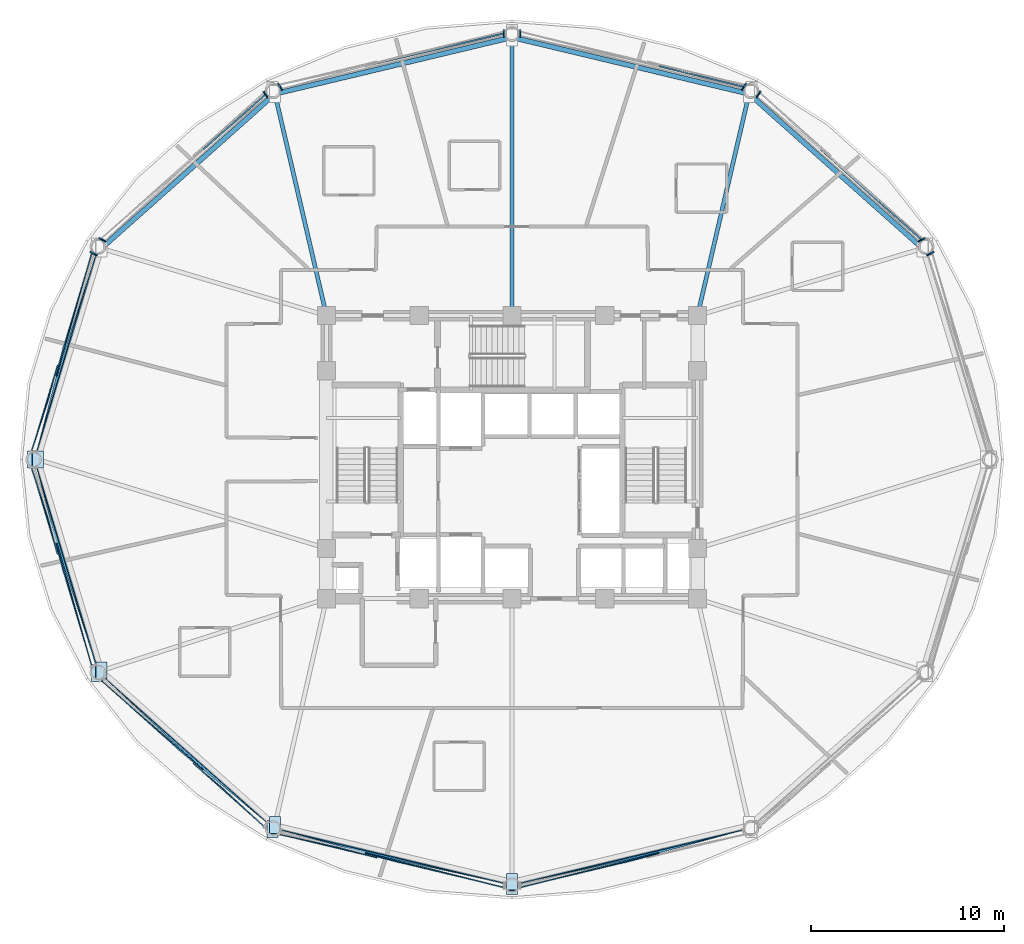
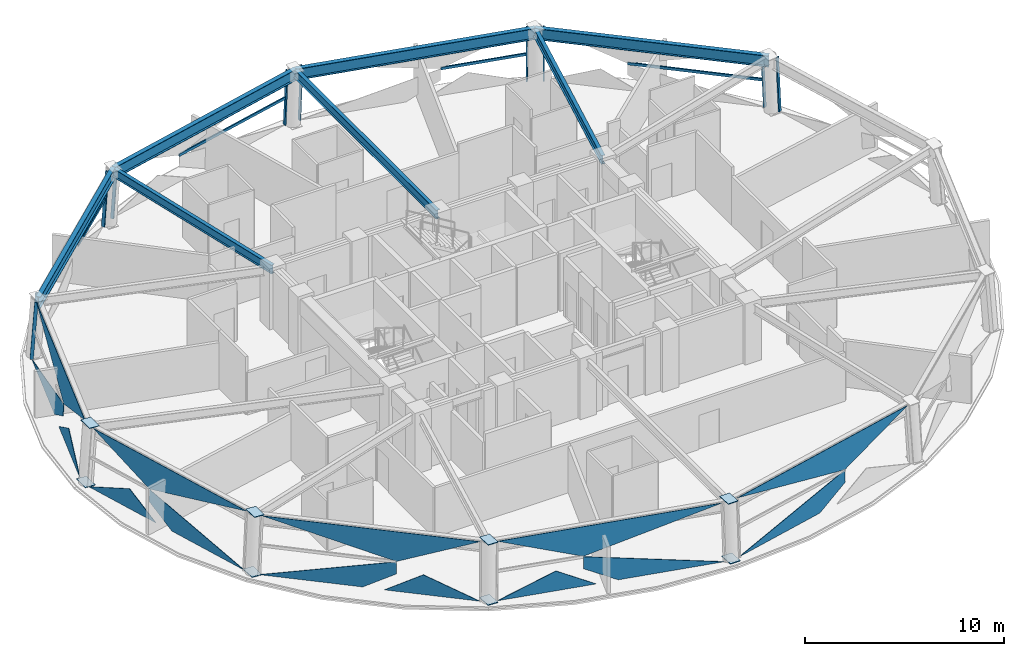
# One storey, part 3 of 12: 22 plates, 14 members, 7 beams, 10 elements without a shape of their own.
"""IFC4 building model written with IfcOpenShell, lengths in metres."""

from ifc_helpers import new_model, si_unit, direction, frame, origin, origin_2d, place, context, subcontext, project, spatial, polyline, hollow_rectangle, i_section, outline, extrude, material, layer, layer_set, material_profile, profile_set, type_object, element, aggregate, save


model = new_model("IFC4")

# Units and contexts
model_context = context("Model", 3, precision=1e-05, world=origin(), true_north=direction((0.0, 1.0)))
body_context = subcontext(model_context, "Body", "Model", "MODEL_VIEW")
ifc_project = project(units=[si_unit("LENGTHUNIT", "METRE"), si_unit("AREAUNIT", "SQUARE_METRE"), si_unit("VOLUMEUNIT", "CUBIC_METRE"), si_unit("PLANEANGLEUNIT", "RADIAN"), si_unit("MASSUNIT", "GRAM", prefix="KILO")], contexts=[model_context])

# Site, building, storey
site_placement = place(None, origin())
site = spatial("IfcSite", under=ifc_project, at=site_placement, CompositionType="ELEMENT")
building_placement = place(site_placement, origin())
building = spatial("IfcBuilding", under=site, at=building_placement, Name="Vantalir Tower", CompositionType="ELEMENT")
storey_placement = place(building_placement, frame((0.0, 0.0, 160.949951171875)))
storey = spatial("IfcBuildingStorey", under=building, at=storey_placement, Name="L40", CompositionType="ELEMENT", Elevation=160.949951171875)

# Beams
ifc_material_1 = material(Name="Steel S355", Category="steel")
ifc_material_profile_1 = material_profile(ifc_material_1, i_section(OverallWidth=0.2109375, OverallDepth=0.5390625, WebThickness=0.01171875, FlangeThickness=0.018798828125, at=origin_2d()), Name="Steel S355")
ifc_profile_set_1 = profile_set([ifc_material_profile_1], Name="Steel S355")
beam_type_1 = type_object("IfcBeamType", Name="BM-RB-533x210", PredefinedType="BEAM", material=ifc_profile_set_1)
beam_1_placement = place(storey_placement, frame((43.76806640625, 43.9208984375, 3.301025390625), z_axis=(-0.226538191981, -0.974002283146, 0.0), x_axis=(0.974002283146, -0.226538191981, 0.0)))
element("IfcBeam", 1, at=beam_1_placement, inside=storey, type_object=beam_type_1, Name="L40 Radial Floor Beam 03", PredefinedType="BEAM", context=body_context, shape_type="SweptSolid", body=[
    extrude(i_section(OverallWidth=0.2109375, OverallDepth=0.5390625, WebThickness=0.01171875, FlangeThickness=0.018798828125, at=origin_2d()), origin(), (0.0, 0.0, 1.0), 11.777099609375),
])
beam_2_placement = place(storey_placement, frame((31.5, 46.847900390625, 3.301025390625), z_axis=(0.0, -1.0, 0.0), x_axis=(1.0, 0.0, 0.0)))
element("IfcBeam", 2, at=beam_2_placement, inside=storey, type_object=beam_type_1, Name="L40 Radial Floor Beam 04", PredefinedType="BEAM", context=body_context, shape_type="SweptSolid", body=[
    extrude(i_section(OverallWidth=0.2109375, OverallDepth=0.5390625, WebThickness=0.01171875, FlangeThickness=0.018798828125, at=origin_2d()), origin(), (0.0, 0.0, 1.0), 14.39794921875),
])
beam_3_placement = place(storey_placement, frame((19.23193359375, 43.9208984375, 3.301025390625), z_axis=(0.226538191981, -0.974002283146, 0.0), x_axis=(0.974002283146, 0.226538191981, 0.0)))
element("IfcBeam", 3, at=beam_3_placement, inside=storey, type_object=beam_type_1, Name="L40 Radial Floor Beam 05", PredefinedType="BEAM", context=body_context, shape_type="SweptSolid", body=[
    extrude(i_section(OverallWidth=0.2109375, OverallDepth=0.5390625, WebThickness=0.01171875, FlangeThickness=0.018798828125, at=origin_2d()), origin(), (0.0, 0.0, 1.0), 11.777099609375),
])
ifc_material_2 = material(Name="Steel S460", Category="steel")
ifc_material_profile_2 = material_profile(ifc_material_2, i_section(OverallWidth=0.256103515625, OverallDepth=0.693115234375, WebThickness=0.014404296875, FlangeThickness=0.023681640625, at=origin_2d()), Name="Steel S460")
ifc_profile_set_2 = profile_set([ifc_material_profile_2], Name="Steel S460")
beam_type_2 = type_object("IfcBeamType", Name="BM-RG-686x254", PredefinedType="USERDEFINED", material=ifc_profile_set_2)
beam_4_placement = place(storey_placement, frame((52.7490234375, 35.924072265625, 3.22412109375), z_axis=(-0.746841140724, 0.66500248911, 0.0), x_axis=(-0.66500248911, -0.746841140724, 0.0)))
element("IfcBeam", 4, at=beam_4_placement, inside=storey, type_object=beam_type_2, Name="L40 Circumferential Ring Girder 02", ObjectType="GIRDER", PredefinedType="USERDEFINED", context=body_context, shape_type="SweptSolid", body=[
    extrude(i_section(OverallWidth=0.256103515625, OverallDepth=0.693115234375, WebThickness=0.014404296875, FlangeThickness=0.023681640625, at=origin_2d()), origin(), (0.0, 0.0, 1.0), 12.025146484375),
])
for number, where, z_axis, x_axis, name in (
    (5, (43.76806640625, 43.9208984375, 3.22412109375), (-0.972698315596, 0.232073235934, 0.0), (-0.232073235934, -0.972698315596, 0.0), "L40 Circumferential Ring Girder 03"),
    (6, (31.5, 46.847900390625, 3.22412109375), (-0.972698315596, -0.232073235934, 0.0), (0.232073235934, -0.972698315596, 0.0), "L40 Circumferential Ring Girder 04"),
):
    element("IfcBeam", number, at=place(storey_placement, frame(where, z_axis=z_axis, x_axis=x_axis)), inside=storey, type_object=beam_type_2, Name=name, ObjectType="GIRDER", PredefinedType="USERDEFINED", context=body_context, shape_type="SweptSolid", body=[
        extrude(i_section(OverallWidth=0.256103515625, OverallDepth=0.693115234375, WebThickness=0.014404296875, FlangeThickness=0.023681640625, at=origin_2d()), origin(), (0.0, 0.0, 1.0), 12.6123046875),
    ])
beam_5_placement = place(storey_placement, frame((19.23193359375, 43.9208984375, 3.22412109375), z_axis=(-0.746841140724, -0.66500248911, 0.0), x_axis=(0.66500248911, -0.746841140724, 0.0)))
element("IfcBeam", 7, at=beam_5_placement, inside=storey, type_object=beam_type_2, Name="L40 Circumferential Ring Girder 05", ObjectType="GIRDER", PredefinedType="USERDEFINED", context=body_context, shape_type="SweptSolid", body=[
    extrude(i_section(OverallWidth=0.256103515625, OverallDepth=0.693115234375, WebThickness=0.014404296875, FlangeThickness=0.023681640625, at=origin_2d()), origin(), (0.0, 0.0, 1.0), 12.025146484375),
])

# Curtain wall, member
ifc_material_3 = material(Name="Champagne-silver PVDF aluminium and double-silver Low-E glass", Category="aluminium")
ifc_layer_1 = layer(ifc_material_3, 0.199951171875)
ifc_layer_set_1 = layer_set([ifc_layer_1], Name="Champagne-silver PVDF aluminium and double-silver Low-E glass")
curtain_wall_type = type_object("IfcCurtainWallType", Name="CW-DIAMOND-Z2", PredefinedType="USERDEFINED", material=ifc_layer_set_1)
curtain_wall_1_placement = place(storey_placement, origin())
curtain_wall_1 = element("IfcCurtainWall", 8, at=curtain_wall_1_placement, inside=storey, type_object=curtain_wall_type, Name="L40 Quilted Pyramid-Diamond Curtain Wall S01", ObjectType="UNITISED CURTAIN WALL", PredefinedType="USERDEFINED")
ifc_material_4 = material(Name="Champagne-silver PVDF aluminium 6063-T6", Category="aluminium")
ifc_material_profile_3 = material_profile(ifc_material_4, hollow_rectangle(XDim=0.074951171875, YDim=0.179931640625, WallThickness=0.00390625, at=origin_2d()), Name="Champagne-silver PVDF aluminium 6063-T6")
ifc_profile_set_3 = profile_set([ifc_material_profile_3], Name="Champagne-silver PVDF aluminium 6063-T6")
member_type_1 = type_object("IfcMemberType", Name="CWM-180x75", PredefinedType="MULLION", material=ifc_profile_set_3)
member_1_placement = place(storey_placement, frame((53.25390625, 35.7080078125, 0.045166015625), z_axis=(-0.061310137963, -0.031564922627, 0.997619527998), x_axis=(0.457737826096, -0.889087218759, 0.0)))
member_1 = element("IfcMember", 9, at=member_1_placement, type_object=member_type_1, Name="CW-L40-S01 Mullion 2", PredefinedType="MULLION", context=body_context, shape_type="SweptSolid", body=[
    extrude(hollow_rectangle(XDim=0.074951171875, YDim=0.179931640625, WallThickness=0.00390625, at=origin_2d()), origin(), (0.0, 0.0, 1.0), 3.48828125),
])
aggregate(curtain_wall_1, [member_1])

# Curtain wall, members
curtain_wall_2_placement = place(storey_placement, origin())
curtain_wall_2 = element("IfcCurtainWall", 10, at=curtain_wall_2_placement, inside=storey, type_object=curtain_wall_type, Name="L40 Quilted Pyramid-Diamond Curtain Wall S02", ObjectType="UNITISED CURTAIN WALL", PredefinedType="USERDEFINED")
member_2_placement = place(storey_placement, frame((52.799072265625, 36.422119140625, 0.045166015625), z_axis=(-0.061379863173, -0.031564787105, 0.997615244777), x_axis=(0.457325100357, -0.889299585395, 0.0)))
member_2 = element("IfcMember", 11, at=member_2_placement, type_object=member_type_1, Name="CW-L40-S02 Mullion 1", PredefinedType="MULLION", context=body_context, shape_type="SweptSolid", body=[
    extrude(hollow_rectangle(XDim=0.074951171875, YDim=0.179931640625, WallThickness=0.00390625, at=origin_2d()), origin(), (0.0, 0.0, 1.0), 3.48828125),
])
member_3_placement = place(storey_placement, frame((44.31494140625, 43.98388671875, 0.045166015625), z_axis=(-0.035562549172, -0.055023944192, 0.997851527364), x_axis=(0.83985671635, -0.542808157641, 0.0)))
member_3 = element("IfcMember", 12, at=member_3_placement, type_object=member_type_1, Name="CW-L40-S02 Mullion 2", PredefinedType="MULLION", context=body_context, shape_type="SweptSolid", body=[
    extrude(hollow_rectangle(XDim=0.074951171875, YDim=0.179931640625, WallThickness=0.00390625, at=origin_2d()), origin(), (0.0, 0.0, 1.0), 3.487548828125),
])

curtain_wall_3_placement = place(storey_placement, origin())
curtain_wall_3 = element("IfcCurtainWall", 13, at=curtain_wall_3_placement, inside=storey, type_object=curtain_wall_type, Name="L40 Quilted Pyramid-Diamond Curtain Wall S03", ObjectType="UNITISED CURTAIN WALL", PredefinedType="USERDEFINED")
member_4_placement = place(storey_placement, frame((43.55908203125, 44.37890625, 0.045166015625), z_axis=(-0.035562549172, -0.055023944192, 0.997851527364), x_axis=(0.83985671635, -0.542808157641, 0.0)))
member_4 = element("IfcMember", 14, at=member_4_placement, type_object=member_type_1, Name="CW-L40-S03 Mullion 1", PredefinedType="MULLION", context=body_context, shape_type="SweptSolid", body=[
    extrude(hollow_rectangle(XDim=0.074951171875, YDim=0.179931640625, WallThickness=0.00390625, at=origin_2d()), origin(), (0.0, 0.0, 1.0), 3.487548828125),
])
member_5_placement = place(storey_placement, frame((31.927978515625, 47.156982421875, 0.045166015625), z_axis=(0.0, -0.063363366299, 0.997990522907), x_axis=(1.0, 0.0, 0.0)))
member_5 = element("IfcMember", 15, at=member_5_placement, type_object=member_type_1, Name="CW-L40-S03 Mullion 2", PredefinedType="MULLION", context=body_context, shape_type="SweptSolid", body=[
    extrude(hollow_rectangle(XDim=0.074951171875, YDim=0.179931640625, WallThickness=0.00390625, at=origin_2d()), origin(), (0.0, 0.0, 1.0), 3.487060546875),
])

curtain_wall_4_placement = place(storey_placement, origin())
curtain_wall_4 = element("IfcCurtainWall", 16, at=curtain_wall_4_placement, inside=storey, type_object=curtain_wall_type, Name="L40 Quilted Pyramid-Diamond Curtain Wall S04", ObjectType="UNITISED CURTAIN WALL", PredefinedType="USERDEFINED")
member_6_placement = place(storey_placement, frame((31.072021484375, 47.156982421875, 0.045166015625), z_axis=(0.0, -0.063363366299, 0.997990522907), x_axis=(1.0, 0.0, 0.0)))
member_6 = element("IfcMember", 17, at=member_6_placement, type_object=member_type_1, Name="CW-L40-S04 Mullion 1", PredefinedType="MULLION", context=body_context, shape_type="SweptSolid", body=[
    extrude(hollow_rectangle(XDim=0.074951171875, YDim=0.179931640625, WallThickness=0.00390625, at=origin_2d()), origin(), (0.0, 0.0, 1.0), 3.487060546875),
])
member_7_placement = place(storey_placement, frame((19.44189453125, 44.37890625, 0.045166015625), z_axis=(0.035282879073, -0.055024489983, 0.997861425222), x_axis=(0.841804270813, 0.539782891208, 0.0)))
member_7 = element("IfcMember", 18, at=member_7_placement, type_object=member_type_1, Name="CW-L40-S04 Mullion 2", PredefinedType="MULLION", context=body_context, shape_type="SweptSolid", body=[
    extrude(hollow_rectangle(XDim=0.074951171875, YDim=0.179931640625, WallThickness=0.00390625, at=origin_2d()), origin(), (0.0, 0.0, 1.0), 3.487548828125),
])

curtain_wall_5_placement = place(storey_placement, origin())
curtain_wall_5 = element("IfcCurtainWall", 19, at=curtain_wall_5_placement, inside=storey, type_object=curtain_wall_type, Name="L40 Quilted Pyramid-Diamond Curtain Wall S05", ObjectType="UNITISED CURTAIN WALL", PredefinedType="USERDEFINED")
member_8_placement = place(storey_placement, frame((18.68603515625, 43.98388671875, 0.045166015625), z_axis=(0.035282879073, -0.055024489983, 0.997861425222), x_axis=(0.841804270813, 0.539782891208, 0.0)))
member_8 = element("IfcMember", 20, at=member_8_placement, type_object=member_type_1, Name="CW-L40-S05 Mullion 1", PredefinedType="MULLION", context=body_context, shape_type="SweptSolid", body=[
    extrude(hollow_rectangle(XDim=0.074951171875, YDim=0.179931640625, WallThickness=0.00390625, at=origin_2d()), origin(), (0.0, 0.0, 1.0), 3.487548828125),
])
member_9_placement = place(storey_placement, frame((10.200927734375, 36.422119140625, 0.045166015625), z_axis=(0.061379863173, -0.031564787105, 0.997615244777), x_axis=(0.457325100357, 0.889299585395, 0.0)))
member_9 = element("IfcMember", 21, at=member_9_placement, type_object=member_type_1, Name="CW-L40-S05 Mullion 2", PredefinedType="MULLION", context=body_context, shape_type="SweptSolid", body=[
    extrude(hollow_rectangle(XDim=0.074951171875, YDim=0.179931640625, WallThickness=0.00390625, at=origin_2d()), origin(), (0.0, 0.0, 1.0), 3.48828125),
])

# Curtain wall, member
curtain_wall_6_placement = place(storey_placement, origin())
curtain_wall_6 = element("IfcCurtainWall", 22, at=curtain_wall_6_placement, inside=storey, type_object=curtain_wall_type, Name="L40 Quilted Pyramid-Diamond Curtain Wall S06", ObjectType="UNITISED CURTAIN WALL", PredefinedType="USERDEFINED")
member_10_placement = place(storey_placement, frame((9.74609375, 35.7080078125, 0.045166015625), z_axis=(0.061310137963, -0.031564922627, 0.997619527998), x_axis=(0.457737826096, 0.889087218759, 0.0)))
member_10 = element("IfcMember", 23, at=member_10_placement, type_object=member_type_1, Name="CW-L40-S06 Mullion 1", PredefinedType="MULLION", context=body_context, shape_type="SweptSolid", body=[
    extrude(hollow_rectangle(XDim=0.074951171875, YDim=0.179931640625, WallThickness=0.00390625, at=origin_2d()), origin(), (0.0, 0.0, 1.0), 3.48828125),
])

# Member
ifc_material_profile_4 = material_profile(ifc_material_4, hollow_rectangle(XDim=0.074951171875, YDim=0.159912109375, WallThickness=0.00390625, at=origin_2d()), Name="Champagne-silver PVDF aluminium 6063-T6")
ifc_profile_set_4 = profile_set([ifc_material_profile_4], Name="Champagne-silver PVDF aluminium 6063-T6")
member_type_2 = type_object("IfcMemberType", Name="CWT-160x75", PredefinedType="USERDEFINED", material=ifc_profile_set_4)
member_11_placement = place(storey_placement, frame((52.69189453125, 36.366943359375, 1.78515625), z_axis=(-0.74422896079, 0.667924587001, 0.0), x_axis=(-0.667924587001, -0.74422896079, 0.0)))
member_11 = element("IfcMember", 24, at=member_11_placement, type_object=member_type_2, Name="CW-L40-S02 Pyramid Fold Ridge Transom", ObjectType="TRANSOM", PredefinedType="USERDEFINED", context=body_context, shape_type="SweptSolid", body=[
    extrude(hollow_rectangle(XDim=0.074951171875, YDim=0.159912109375, WallThickness=0.00390625, at=origin_2d()), origin(), (0.0, 0.0, 1.0), 7.007080078125),
])

aggregate(curtain_wall_2, [member_2, member_3, member_11])

member_12_placement = place(storey_placement, frame((43.4970703125, 44.282958984375, 1.78515625), z_axis=(-0.971382105926, 0.237522218513, 0.0), x_axis=(-0.237522218513, -0.971382105926, 0.0)))
member_12 = element("IfcMember", 25, at=member_12_placement, type_object=member_type_2, Name="CW-L40-S03 Pyramid Fold Ridge Transom", ObjectType="TRANSOM", PredefinedType="USERDEFINED", context=body_context, shape_type="SweptSolid", body=[
    extrude(hollow_rectangle(XDim=0.074951171875, YDim=0.159912109375, WallThickness=0.00390625, at=origin_2d()), origin(), (0.0, 0.0, 1.0), 4.517578125),
])

aggregate(curtain_wall_3, [member_4, member_5, member_12])

member_13_placement = place(storey_placement, frame((31.072021484375, 47.0458984375, 1.78515625), z_axis=(-0.97340761892, -0.229079914941, 0.0), x_axis=(0.229079914941, -0.97340761892, 0.0)))
member_13 = element("IfcMember", 26, at=member_13_placement, type_object=member_type_2, Name="CW-L40-S04 Pyramid Fold Ridge Transom", ObjectType="TRANSOM", PredefinedType="USERDEFINED", context=body_context, shape_type="SweptSolid", body=[
    extrude(hollow_rectangle(XDim=0.074951171875, YDim=0.159912109375, WallThickness=0.00390625, at=origin_2d()), origin(), (0.0, 0.0, 1.0), 7.377197265625),
])

aggregate(curtain_wall_4, [member_6, member_7, member_13])

member_14_placement = place(storey_placement, frame((18.7470703125, 43.887939453125, 1.78515625), z_axis=(-0.750298604255, -0.661099088226, 0.0), x_axis=(0.661099088226, -0.750298604255, 0.0)))
member_14 = element("IfcMember", 27, at=member_14_placement, type_object=member_type_2, Name="CW-L40-S05 Pyramid Fold Ridge Transom", ObjectType="TRANSOM", PredefinedType="USERDEFINED", context=body_context, shape_type="SweptSolid", body=[
    extrude(hollow_rectangle(XDim=0.074951171875, YDim=0.159912109375, WallThickness=0.00390625, at=origin_2d()), origin(), (0.0, 0.0, 1.0), 4.297119140625),
])

aggregate(curtain_wall_5, [member_8, member_9, member_14])

# Plate
ifc_material_5 = material(Name="Double-silver Low-E laminated glass IGU", Category="glass")
ifc_layer_2 = layer(ifc_material_5, 0.028076171875)
ifc_layer_set_2 = layer_set([ifc_layer_2], Name="Double-silver Low-E laminated glass IGU")
plate_type_1 = type_object("IfcPlateType", Name="CWP-IGU-28", PredefinedType="CURTAIN_PANEL", material=ifc_layer_set_2)
plate_1_placement = place(storey_placement, frame((9.7421875, 35.693359375, 0.046630859375), z_axis=(-0.956242132533, 0.287523668542, 0.054139855892), x_axis=(-0.287945951236, -0.957646661962, 5.71672e-07)))
plate_1 = element("IfcPlate", 28, at=plate_1_placement, type_object=plate_type_1, Name="CW-L40-S06 Pyramid Diamond Facet 1L", PredefinedType="CURTAIN_PANEL", context=body_context, shape_type="SweptSolid", body=[
    extrude(outline(polyline([(0.0, 0.0), (4.989887704492444, 0.0), (6.624636536070838, 1.0136899598512814), (6.62470627093476, 1.7288530254933752), (0.0, 0.0)])), origin(), (0.0, 0.0, -1.0), 0.028076171875),
])

plate_2_placement = place(storey_placement, frame((7.9638671875, 29.889892578125, 0.04833984375), z_axis=(-0.956245282623, 0.287501558669, 0.054201597984), x_axis=(-0.287922069807, -0.95765384088, 5.2598113e-05)))
plate_2 = element("IfcPlate", 29, at=plate_2_placement, type_object=plate_type_1, Name="CW-L40-S06 Pyramid Diamond Facet 1L Infill Light", PredefinedType="CURTAIN_PANEL", context=body_context, shape_type="SweptSolid", body=[
    extrude(outline(polyline([(0.0, 0.0), (4.64162327725022, 8.375461782450522e-18), (1.8826106992605758, 1.1671440101690467), (0.0, 0.0)])), origin(), (0.0, 0.0, -1.0), 0.028076171875),
])

plate_3_placement = place(storey_placement, frame((6.90478515625, 25.435791015625, 3.523193359375), z_axis=(-0.954477973332, 0.286972931062, 0.081353151522), x_axis=(0.287929113413, 0.957651724333, 2.3039859e-05)))
plate_3 = element("IfcPlate", 30, at=plate_3_placement, type_object=plate_type_1, Name="CW-L40-S06 Pyramid Diamond Facet 2U", PredefinedType="CURTAIN_PANEL", context=body_context, shape_type="SweptSolid", body=[
    extrude(outline(polyline([(0.0, 0.0), (10.596446307439443, -2.734899980094685e-17), (4.015426534623523, 1.7319074202611071), (0.0, 0.0)])), origin(), (0.0, 0.0, -1.0), 0.028076171875),
])

aggregate(curtain_wall_6, [member_10, plate_1, plate_2, plate_3])

# Curtain wall, plates
curtain_wall_7_placement = place(storey_placement, origin())
curtain_wall_7 = element("IfcCurtainWall", 31, at=curtain_wall_7_placement, inside=storey, type_object=curtain_wall_type, Name="L40 Quilted Pyramid-Diamond Curtain Wall S07", ObjectType="UNITISED CURTAIN WALL", PredefinedType="USERDEFINED")
plate_4_placement = place(storey_placement, frame((8.305419921875, 19.084716796875, 0.046630859375), z_axis=(-0.956253489928, -0.28748536372, 0.054142669372), x_axis=(0.287907667367, -0.957658172351, 6.8321e-08)))
plate_4 = element("IfcPlate", 32, at=plate_4_placement, type_object=plate_type_1, Name="CW-L40-S07 Pyramid Diamond Facet 1L", PredefinedType="CURTAIN_PANEL", context=body_context, shape_type="SweptSolid", body=[
    extrude(outline(polyline([(0.0, 0.0), (4.990355309138688, 0.0), (-1.6350550053903858, 1.7288543374415144), (-1.6352179808434817, 1.013938859984866), (0.0, 0.0)])), origin(), (0.0, 0.0, -1.0), 0.028076171875),
])
plate_5_placement = place(storey_placement, frame((6.62744140625, 24.55517578125, 0.048583984375), z_axis=(-0.956253988409, -0.287472597845, 0.054201615662), x_axis=(0.287893066875, -0.957662560237, -5.2592815e-05)))
plate_5 = element("IfcPlate", 33, at=plate_5_placement, type_object=plate_type_1, Name="CW-L40-S07 Pyramid Diamond Facet 1L Infill Light", PredefinedType="CURTAIN_PANEL", context=body_context, shape_type="SweptSolid", body=[
    extrude(outline(polyline([(0.0, 0.0), (4.6420908837935695, -9.2970336290632e-18), (2.75924445851686, 1.167388508901368), (0.0, 0.0)])), origin(), (0.0, 0.0, -1.0), 0.028076171875),
])
plate_6_placement = place(storey_placement, frame((9.955810546875, 14.41650390625, 3.5234375), z_axis=(-0.954474821176, -0.286971982359, 0.081393470752), x_axis=(-0.287929113413, 0.957651724333, -2.3039859e-05)))
plate_6 = element("IfcPlate", 34, at=plate_6_placement, type_object=plate_type_1, Name="CW-L40-S07 Pyramid Diamond Facet 2U", PredefinedType="CURTAIN_PANEL", context=body_context, shape_type="SweptSolid", body=[
    extrude(outline(polyline([(0.0, 0.0), (10.596446307439443, 1.870248747537495e-17), (6.58078597112541, 1.7319131457826749), (0.0, 0.0)])), origin(), (0.0, 0.0, -1.0), 0.028076171875),
])
aggregate(curtain_wall_7, [plate_4, plate_5, plate_6])

curtain_wall_8_placement = place(storey_placement, origin())
curtain_wall_8 = element("IfcCurtainWall", 35, at=curtain_wall_8_placement, inside=storey, type_object=curtain_wall_type, Name="L40 Quilted Pyramid-Diamond Curtain Wall S08", ObjectType="UNITISED CURTAIN WALL", PredefinedType="USERDEFINED")
plate_7_placement = place(storey_placement, frame((10.212646484375, 13.5673828125, 0.04638671875), z_axis=(-0.6645438725, -0.745505312866, 0.051022250165), x_axis=(0.746479205, -0.665408742229, 4.7608094e-05)))
plate_7 = element("IfcPlate", 36, at=plate_7_placement, type_object=plate_type_1, Name="CW-L40-S08 Pyramid Diamond Facet 1L", PredefinedType="CURTAIN_PANEL", context=body_context, shape_type="SweptSolid", body=[
    extrude(outline(polyline([(0.0, 0.0), (5.309279287511083, 4.228388472693467e-18), (7.025537221762577, 1.0068362911009177), (7.025621156951399, 1.728732435215887), (0.0, 0.0)])), origin(), (0.0, 0.0, -1.0), 0.028076171875),
])
plate_8_placement = place(storey_placement, frame((14.994873046875, 9.261962890625, 0.04833984375), z_axis=(-0.664540415614, -0.745511527439, 0.050976450158), x_axis=(0.746482061929, -0.665405538914, 0.0)))
plate_8 = element("IfcPlate", 37, at=plate_8_placement, type_object=plate_type_1, Name="CW-L40-S08 Pyramid Diamond Facet 1L Infill Light", PredefinedType="CURTAIN_PANEL", context=body_context, shape_type="SweptSolid", body=[
    extrude(outline(polyline([(0.0, 0.0), (4.89928258027907, 0.0), (1.9900706239894599, 1.167289128825996), (0.0, 0.0)])), origin(), (0.0, 0.0, -1.0), 0.028076171875),
])
plate_9_placement = place(storey_placement, frame((18.79736328125, 6.217529296875, 3.5234375), z_axis=(-0.663307447188, -0.744229223428, 0.078397024821), x_axis=(-0.746525731838, 0.665356544441, 2.1772851e-05)))
plate_9 = element("IfcPlate", 38, at=plate_9_placement, type_object=plate_type_1, Name="CW-L40-S08 Pyramid Diamond Facet 2U", PredefinedType="CURTAIN_PANEL", context=body_context, shape_type="SweptSolid", body=[
    extrude(outline(polyline([(0.0, 0.0), (11.213075788783401, 4.065758146820642e-18), (4.273323152274707, 1.7319862208017112), (0.0, 0.0)])), origin(), (0.0, 0.0, -1.0), 0.028076171875),
])
aggregate(curtain_wall_8, [plate_7, plate_8, plate_9])

curtain_wall_9_placement = place(storey_placement, origin())
curtain_wall_9 = element("IfcCurtainWall", 39, at=curtain_wall_9_placement, inside=storey, type_object=curtain_wall_type, Name="L40 Quilted Pyramid-Diamond Curtain Wall S09", ObjectType="UNITISED CURTAIN WALL", PredefinedType="USERDEFINED")
plate_10_placement = place(storey_placement, frame((25.63232421875, 4.142333984375, 0.04638671875), z_axis=(-0.232004258496, -0.97152336238, 0.048128789621), x_axis=(0.972650523298, -0.232273458508, -5.81103e-07)))
plate_10 = element("IfcPlate", 40, at=plate_10_placement, type_object=plate_type_1, Name="CW-L40-S09 Pyramid Diamond Facet 1L", PredefinedType="CURTAIN_PANEL", context=body_context, shape_type="SweptSolid", body=[
    extrude(outline(polyline([(0.0, 0.0), (5.577860149667009, 0.0), (-1.8010086539788814, 1.7290534684776901), (-1.8010189132885481, 1.0106884445891582), (0.0, 0.0)])), origin(), (0.0, 0.0, -1.0), 0.028076171875),
])
plate_11_placement = place(storey_placement, frame((19.447998046875, 5.58642578125, 0.048095703125), z_axis=(-0.232029782041, -0.971515985067, 0.048154657143), x_axis=(0.972644357985, -0.232299274387, 0.0)))
plate_11 = element("IfcPlate", 41, at=plate_11_placement, type_object=plate_type_1, Name="CW-L40-S09 Pyramid Diamond Facet 1L Infill Light", PredefinedType="CURTAIN_PANEL", context=body_context, shape_type="SweptSolid", body=[
    extrude(outline(polyline([(0.0, 0.0), (5.186559396517485, 6.938893903907228e-18), (3.0924459019069728, 1.1751914745341983), (0.0, 0.0)])), origin(), (0.0, 0.0, -1.0), 0.028076171875),
])
plate_12_placement = place(storey_placement, frame((31.057373046875, 3.067626953125, 3.523681640625), z_axis=(-0.231652517859, -0.969884783821, 0.075237072523), x_axis=(-0.972641928781, 0.232309444384, -2.0688347e-05)))
plate_12 = element("IfcPlate", 42, at=plate_12_placement, type_object=plate_type_1, Name="CW-L40-S09 Pyramid Diamond Facet 2U", PredefinedType="CURTAIN_PANEL", context=body_context, shape_type="SweptSolid", body=[
    extrude(outline(polyline([(0.0, 0.0), (11.800876565274915, 3.201106914263452e-17), (7.327206380902446, 1.7318077001125904), (0.0, 0.0)])), origin(), (0.0, 0.0, -1.0), 0.028076171875),
])
aggregate(curtain_wall_9, [plate_10, plate_11, plate_12])

curtain_wall_10_placement = place(storey_placement, origin())
curtain_wall_10 = element("IfcCurtainWall", 43, at=curtain_wall_10_placement, inside=storey, type_object=curtain_wall_type, Name="L40 Quilted Pyramid-Diamond Curtain Wall S10", ObjectType="UNITISED CURTAIN WALL", PredefinedType="USERDEFINED")
plate_13_placement = place(storey_placement, frame((31.9423828125, 2.8466796875, 0.04638671875), z_axis=(0.232004258496, -0.97152336238, 0.048128789621), x_axis=(0.972650523298, 0.232273458508, 5.81103e-07)))
plate_13 = element("IfcPlate", 44, at=plate_13_placement, type_object=plate_type_1, Name="CW-L40-S10 Pyramid Diamond Facet 1L", PredefinedType="CURTAIN_PANEL", context=body_context, shape_type="SweptSolid", body=[
    extrude(outline(polyline([(0.0, 0.0), (5.577860149667009, 0.0), (7.378879062955557, 1.0106884445891582), (7.37886880364589, 1.7290534684776901), (0.0, 0.0)])), origin(), (0.0, 0.0, -1.0), 0.028076171875),
])
plate_14_placement = place(storey_placement, frame((43.420654296875, 5.80908203125, 3.5234375), z_axis=(0.231652517859, -0.969884783821, 0.075237072523), x_axis=(-0.972641928781, -0.232309444384, 2.0688347e-05)))
plate_14 = element("IfcPlate", 45, at=plate_14_placement, type_object=plate_type_1, Name="CW-L40-S10 Pyramid Diamond Facet 2U", PredefinedType="CURTAIN_PANEL", context=body_context, shape_type="SweptSolid", body=[
    extrude(outline(polyline([(0.0, 0.0), (11.800876565274915, -3.201106914263452e-17), (4.4736701843724695, 1.7318077001125904), (0.0, 0.0)])), origin(), (0.0, 0.0, -1.0), 0.028076171875),
])
aggregate(curtain_wall_10, [plate_13, plate_14])

# Plates
ifc_layer_3 = layer(ifc_material_2, 0.035888671875)
ifc_layer_set_3 = layer_set([ifc_layer_3], Name="Steel S460")
plate_type_2 = type_object("IfcPlateType", Name="PLT-KN-Z2", PredefinedType="USERDEFINED", material=ifc_layer_set_3)
for number, where, z_axis, x_axis, name in (
    (46, (6.676513671875, 25.43994140625, 3.617919921875), (0.06903323004, 0.0, 0.997614360938), (0.0, -1.0, 0.0), "L40 Ring Column Top Cap RC07"),
    (47, (6.431396484375, 25.43994140625, 0.072998046875), (0.06903323004, 0.0, 0.997614360938), (0.0, -1.0, 0.0), "L40 Ring Column Base Cap RC07"),
):
    element("IfcPlate", number, at=place(storey_placement, frame(where, z_axis=z_axis, x_axis=x_axis)), inside=storey, type_object=plate_type_2, Name=name, ObjectType="FLANGE_PLATE", PredefinedType="USERDEFINED", context=body_context, shape_type="SweptSolid", body=[
        extrude(outline(polyline([(0.0, 0.0), (0.8798828125, 0.0), (0.8798828125, 0.5799969446167544), (0.0, 0.5799969446167544), (0.0, 0.0)])), origin(), (0.0, 0.0, -1.0), 0.035888671875),
    ])
plate_15_placement = place(storey_placement, frame((9.963134765625, 14.51708984375, 3.6015625), z_axis=(0.059787988116, 0.031018917888, 0.997729032959), x_axis=(-2.5731e-07, -0.999517070414, 0.031074522535)))
element("IfcPlate", 48, at=plate_15_placement, inside=storey, type_object=plate_type_2, Name="L40 Ring Column Top Cap RC08", ObjectType="FLANGE_PLATE", PredefinedType="USERDEFINED", context=body_context, shape_type="SweptSolid", body=[
    extrude(outline(polyline([(0.0, 0.0), (0.8798195395887344, 0.0), (0.8799622136151525, 0.5801396017279776), (-0.00010134869585092941, 0.5801391480805387), (0.0, 0.0)])), origin(), (0.0, 0.0, -1.0), 0.035888671875),
])
plate_16_placement = place(storey_placement, frame((9.750732421875, 14.406982421875, 0.056640625), z_axis=(0.059806597122, 0.031014582812, 0.997728052424), x_axis=(0.0, -0.999517204822, 0.031070198984)))
element("IfcPlate", 49, at=plate_16_placement, inside=storey, type_object=plate_type_2, Name="L40 Ring Column Base Cap RC08", ObjectType="FLANGE_PLATE", PredefinedType="USERDEFINED", context=body_context, shape_type="SweptSolid", body=[
    extrude(outline(polyline([(0.0, 0.0), (0.880063562319266, 2.168404344971009e-19), (0.8799625126521595, 0.5798954443520866), (-0.00010104966710645512, 0.5798954443520865), (0.0, 0.0)])), origin(), (0.0, 0.0, -1.0), 0.035888671875),
])
plate_17_placement = place(storey_placement, frame((18.943115234375, 6.5205078125, 3.58447265625), z_axis=(0.03457212517, 0.053509641688, 0.997968680074), x_axis=(2.56568e-07, -0.998565617681, 0.053541639733)))
element("IfcPlate", 50, at=plate_17_placement, inside=storey, type_object=plate_type_2, Name="L40 Ring Column Top Cap RC09", ObjectType="FLANGE_PLATE", PredefinedType="USERDEFINED", context=body_context, shape_type="SweptSolid", body=[
    extrude(outline(polyline([(0.0, 0.0), (0.8801683984668132, -2.168404344971009e-19), (0.8800718303771935, 0.5799363007398946), (0.00014722234438454694, 0.5799367525934649), (0.0, 0.0)])), origin(), (0.0, 0.0, -1.0), 0.035888671875),
])
plate_18_placement = place(storey_placement, frame((18.820068359375, 6.330810546875, 0.03955078125), z_axis=(0.034782054044, 0.053371022539, 0.997968808465), x_axis=(5.071648e-06, -0.998573033148, 0.053403159502)))
element("IfcPlate", 51, at=plate_18_placement, inside=storey, type_object=plate_type_2, Name="L40 Ring Column Base Cap RC09", ObjectType="FLANGE_PLATE", PredefinedType="USERDEFINED", context=body_context, shape_type="SweptSolid", body=[
    extrude(outline(polyline([(0.0, 0.0), (0.8801553530164882, 0.0), (0.8800643552490826, 0.5799362874772178), (0.00013975659627733523, 0.5799452193869147), (0.0, 0.0)])), origin(), (0.0, 0.0, -1.0), 0.035888671875),
])
plate_19_placement = place(storey_placement, frame((31.2099609375, 3.5927734375, 3.57080078125), z_axis=(0.0, 0.061877308654, 0.998083763355), x_axis=(0.0, -0.998083763355, 0.061877308654)))
element("IfcPlate", 52, at=plate_19_placement, inside=storey, type_object=plate_type_2, Name="L40 Ring Column Top Cap RC10", ObjectType="FLANGE_PLATE", PredefinedType="USERDEFINED", context=body_context, shape_type="SweptSolid", body=[
    extrude(outline(polyline([(0.0, 0.0), (0.879859847807452, 0.0), (0.879859847807452, 0.580078125), (0.0, 0.580078125), (0.0, 0.0)])), origin(), (0.0, 0.0, -1.0), 0.035888671875),
])
plate_20_placement = place(storey_placement, frame((31.2099609375, 3.37353515625, 0.02587890625), z_axis=(0.0, 0.0615838313, 0.998101914497), x_axis=(0.0, -0.998101914497, 0.0615838313)))
element("IfcPlate", 53, at=plate_20_placement, inside=storey, type_object=plate_type_2, Name="L40 Ring Column Base Cap RC10", ObjectType="FLANGE_PLATE", PredefinedType="USERDEFINED", context=body_context, shape_type="SweptSolid", body=[
    extrude(outline(polyline([(0.0, 0.0), (0.8800884518819607, 0.0), (0.8800884518819607, 0.580078125), (0.0, 0.580078125), (0.0, 0.0)])), origin(), (0.0, 0.0, -1.0), 0.035888671875),
])

save(model, "model.ifc")
